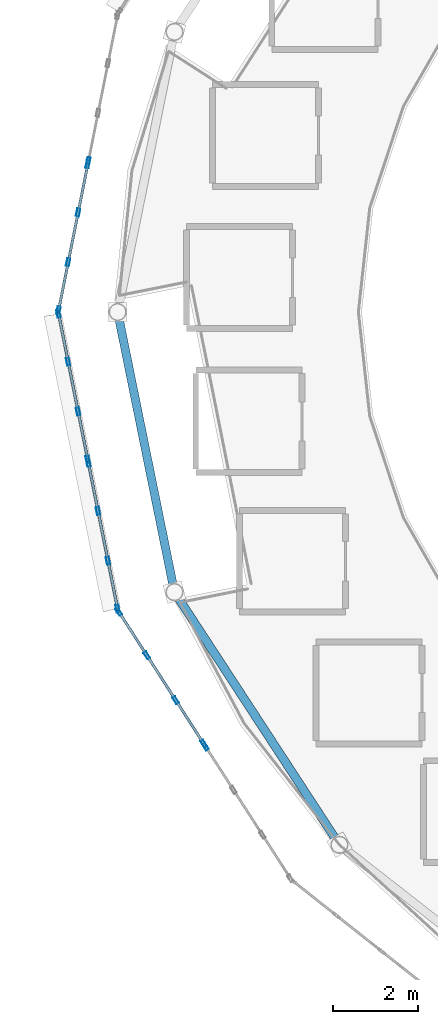
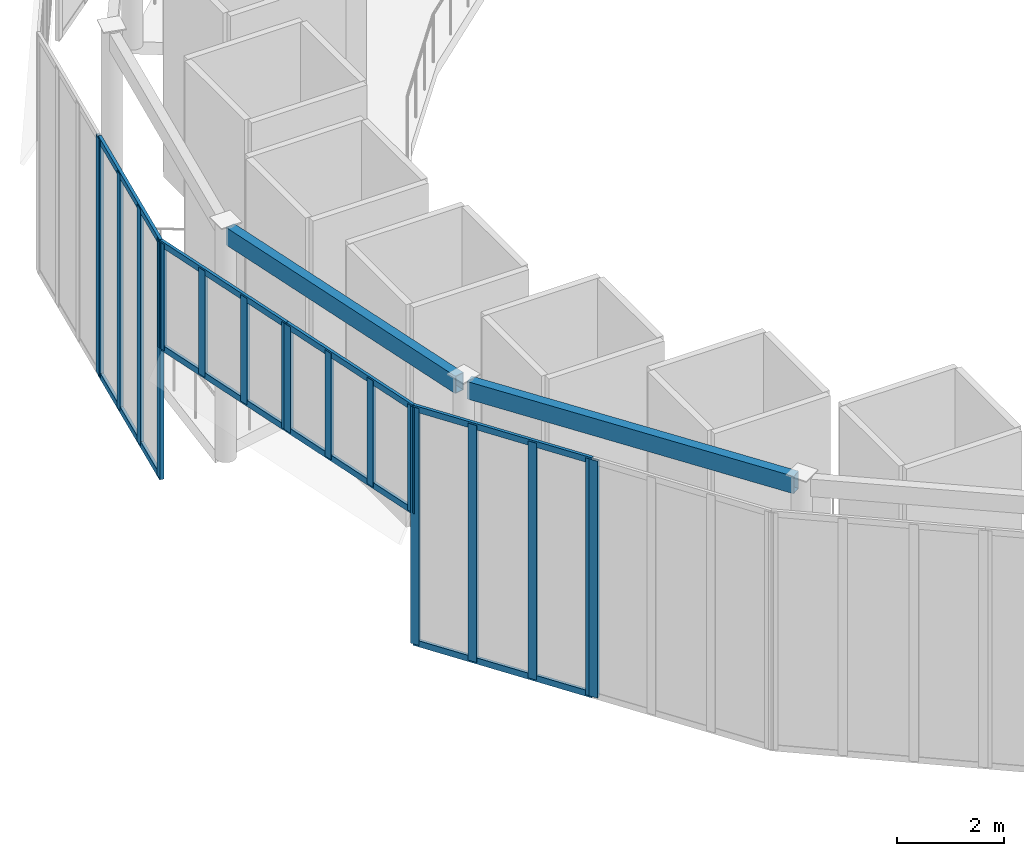
# One storey, part 40 of 98: 26 members, 2 beams, 6 elements without a shape of their own.
"""IFC4 building model written with IfcOpenShell, lengths in metres."""

import ifcopenshell
import ifcopenshell.guid

model = None  # the IFC model being written
_history = None  # IfcOwnerHistory: only IFC2X3 demands one
_inside = {}  # id of a spatial element -> (the spatial element, [elements in it])
_under = {}  # id of a project, library or spatial element -> (it, [spatial elements below it])
_declared = {}  # id of a project -> (the project, [libraries it declares])
_typed = {}  # id of a type object -> (the type object, [elements of that type])
_made_of = {}  # id of a material, layer set ... -> (it, [elements and type objects made of it])


def new_model(schema):
    """Start an empty IFC model of exactly this schema.

    Asked for "IFC4X3", IfcOpenShell would pick the latest addendum, in which some entities
    have other attributes; the version numbers below select the first issue.
    IFC2X3 requires an IfcOwnerHistory on every rooted entity: one is made here for all.
    """
    global model, _history
    if schema == "IFC4X3":
        model = ifcopenshell.file(schema_version=(4, 3, 0, 0))
    else:
        model = ifcopenshell.file(schema=schema)
    _inside.clear()
    _under.clear()
    _declared.clear()
    _typed.clear()
    _made_of.clear()
    _history = None
    if model.schema == "IFC2X3":
        org = make("IfcOrganization", Name="unknown")
        user = make(
            "IfcPersonAndOrganization",
            ThePerson=make("IfcPerson", FamilyName="unknown"),
            TheOrganization=org,
        )
        app = make(
            "IfcApplication",
            ApplicationDeveloper=org,
            Version="unknown",
            ApplicationFullName="unknown",
            ApplicationIdentifier="unknown",
        )
        _history = make(
            "IfcOwnerHistory",
            OwningUser=user,
            OwningApplication=app,
            ChangeAction="ADDED",
            CreationDate=0,
        )
    return model


def make(cls, **values):
    """One entity of the class cls with the attributes given. An attribute that is None is left unset."""
    return model.create_entity(
        cls, **{name: value for name, value in values.items() if value is not None}
    )


def rooted(cls, **values):
    """An entity with a GlobalId (a new one), such as an element, a storey or a relation."""
    return make(cls, GlobalId=ifcopenshell.guid.new(), OwnerHistory=_history, **values)


def si_unit(unit_type, name, prefix=None):
    """IfcSIUnit, for example si_unit("LENGTHUNIT", "METRE", prefix="MILLI")."""
    return make("IfcSIUnit", UnitType=unit_type, Prefix=prefix, Name=name)


def assignment(units):
    """IfcUnitAssignment: the units of a project."""
    return None if units is None else make("IfcUnitAssignment", Units=units)


def point(xyz):
    """IfcCartesianPoint."""
    return None if xyz is None else make("IfcCartesianPoint", Coordinates=xyz)


def direction(xyz):
    """IfcDirection."""
    return None if xyz is None else make("IfcDirection", DirectionRatios=xyz)


def frame(location, z_axis=None, x_axis=None):
    """IfcAxis2Placement3D, a coordinate frame: its origin and axes. An axis left out is left unset."""
    return make(
        "IfcAxis2Placement3D",
        Location=point(location),
        Axis=direction(z_axis),
        RefDirection=direction(x_axis),
    )


def frame_2d(location, x_axis=None):
    """IfcAxis2Placement2D, a coordinate frame in the plane: its origin and x axis."""
    return make(
        "IfcAxis2Placement2D", Location=point(location), RefDirection=direction(x_axis)
    )


def origin():
    """The frame at (0, 0, 0) with its axes left unset."""
    return frame((0.0, 0.0, 0.0))


def origin_2d():
    """The frame at (0, 0) in the plane with its x axis left unset."""
    return frame_2d((0.0, 0.0))


def place(relative_to, where):
    """IfcLocalPlacement: puts the frame where relative to a parent placement (None: the world)."""
    return make(
        "IfcLocalPlacement", PlacementRelTo=relative_to, RelativePlacement=where
    )


def context(
    kind, dimensions, precision=None, world=None, true_north=None, identifier=None
):
    """IfcGeometricRepresentationContext, for example the 3D "Model" context."""
    return make(
        "IfcGeometricRepresentationContext",
        ContextIdentifier=identifier,
        ContextType=kind,
        CoordinateSpaceDimension=dimensions,
        Precision=precision,
        WorldCoordinateSystem=world,
        TrueNorth=true_north,
    )


def subcontext(parent, identifier, kind, view, scale=None):
    """IfcGeometricRepresentationSubContext, for example "Body" below "Model"."""
    return make(
        "IfcGeometricRepresentationSubContext",
        ContextIdentifier=identifier,
        ContextType=kind,
        ParentContext=parent,
        TargetScale=scale,
        TargetView=view,
    )


def project(units=None, contexts=None):
    """IfcProject with its units and contexts."""
    return rooted(
        "IfcProject",
        Name="project",
        RepresentationContexts=contexts,
        UnitsInContext=assignment(units),
    )


def spatial(cls, under=None, at=None, **own):
    """A site, building, storey or space (cls), placed at a placement, below another one or the project."""
    s = rooted(cls, ObjectPlacement=at, **own)
    if under is not None:
        _under.setdefault(under.id(), (under, []))[1].append(s)
    return s


def profile(cls, at=None, kind="AREA", **sizes):
    """A parametric profile (cls). Its sizes go by their IFC names, for example OverallWidth=200.0."""
    return make(cls, ProfileType=kind, Position=at, **sizes)


def hollow_rectangle(**sizes):
    """IfcRectangleHollowProfileDef."""
    return profile("IfcRectangleHollowProfileDef", **sizes)


def extrude(swept, where, along, depth):
    """IfcExtrudedAreaSolid: the profile swept, set in the frame where, extruded along a direction by depth."""
    return make(
        "IfcExtrudedAreaSolid",
        SweptArea=swept,
        Position=where,
        ExtrudedDirection=direction(along),
        Depth=depth,
    )


def shape(context_of_items, identifier, shape_type, items):
    """IfcShapeRepresentation: the items that make up one representation, for example the "Body"."""
    return make(
        "IfcShapeRepresentation",
        ContextOfItems=context_of_items,
        RepresentationIdentifier=identifier,
        RepresentationType=shape_type,
        Items=items,
    )


def material(Name=None, Category=None):
    """IfcMaterial."""
    return make("IfcMaterial", Name=Name, Category=Category)


def layer(
    of_material, thickness, ventilated=None, Name=None, Category=None, Priority=None
):
    """IfcMaterialLayer: one layer of a wall or slab, of a material (None: an air gap)."""
    return make(
        "IfcMaterialLayer",
        Material=of_material,
        LayerThickness=thickness,
        IsVentilated=ventilated,
        Name=Name,
        Category=Category,
        Priority=Priority,
    )


def layer_set(layers, Name=None):
    """IfcMaterialLayerSet."""
    return make("IfcMaterialLayerSet", MaterialLayers=layers, LayerSetName=Name)


def material_profile(
    of_material, cross_section, Name=None, Category=None, Priority=None
):
    """IfcMaterialProfile: a cross section and its material."""
    return make(
        "IfcMaterialProfile",
        Name=Name,
        Material=of_material,
        Profile=cross_section,
        Priority=Priority,
        Category=Category,
    )


def profile_set(profiles, Name=None, composite=None):
    """IfcMaterialProfileSet."""
    return make(
        "IfcMaterialProfileSet",
        Name=Name,
        MaterialProfiles=profiles,
        CompositeProfile=composite,
    )


def made_of(thing, what):
    """Note that an element or type object is made of a material, layer set ...; save() writes the relation."""
    if what is not None:
        _made_of.setdefault(what.id(), (what, []))[1].append(thing)
    return thing


def type_object(cls, material=None, **own):
    """A type object (cls), such as IfcWallType, which elements share."""
    return made_of(rooted(cls, **own), material)


def element(
    cls,
    number,
    at=None,
    inside=None,
    cuts=None,
    type_object=None,
    material=None,
    context=None,
    identifier="Body",
    shape_type=None,
    held_by="IfcProductDefinitionShape",
    body=None,
    shapes=None,
    **own,
):
    """One element of the class cls, such as IfcWall. Its Tag is "e" and its number.

    at: its placement. inside: the storey or other place that contains it. cuts: it is an
    opening in that element (IfcRelVoidsElement). A single representation is given by context,
    identifier, shape_type and body (its items); several are given by shapes. held_by: the class
    of the entity that holds the representations. save() writes the other relations.
    """
    e = rooted(cls, Tag="e%d" % number, ObjectPlacement=at, **own)
    if body is not None:
        shapes = [shape(context, identifier, shape_type, body)]
    if shapes is not None:
        e.Representation = make(held_by, Representations=shapes)
    if inside is not None:
        _inside.setdefault(inside.id(), (inside, []))[1].append(e)
    if cuts is not None:
        rooted(
            "IfcRelVoidsElement", RelatingBuildingElement=cuts, RelatedOpeningElement=e
        )
    if type_object is not None:
        _typed.setdefault(type_object.id(), (type_object, []))[1].append(e)
    return made_of(e, material)


def aggregate(whole, parts):
    """IfcRelAggregates: a whole, such as a stair, and the parts it consists of."""
    return rooted("IfcRelAggregates", RelatingObject=whole, RelatedObjects=parts)


def save(model, path):
    """Write the relations noted so far, then the file.

    IfcRelAggregates (storeys below a building ...), IfcRelContainedInSpatialStructure (elements
    in a storey), IfcRelDefinesByType, IfcRelAssociatesMaterial and IfcRelDeclares: one each for
    every whole, place, type object, material and project.
    """
    for whole, parts in _under.values():
        aggregate(whole, parts)
    for where, things in _inside.values():
        rooted(
            "IfcRelContainedInSpatialStructure",
            RelatedElements=things,
            RelatingStructure=where,
        )
    for kind, things in _typed.values():
        rooted("IfcRelDefinesByType", RelatedObjects=things, RelatingType=kind)
    for what, things in _made_of.values():
        rooted("IfcRelAssociatesMaterial", RelatedObjects=things, RelatingMaterial=what)
    for by, libraries in _declared.values():
        rooted("IfcRelDeclares", RelatingContext=by, RelatedDefinitions=libraries)
    model.write(path)


model = new_model("IFC4")

# Units and contexts
model_context = context("Model", 3, precision=1e-05, world=origin(), true_north=direction((0.0, 1.0)))
body_context = subcontext(model_context, "Body", "Model", "MODEL_VIEW")
ifc_project = project(units=[si_unit("LENGTHUNIT", "METRE"), si_unit("AREAUNIT", "SQUARE_METRE"), si_unit("VOLUMEUNIT", "CUBIC_METRE"), si_unit("PLANEANGLEUNIT", "RADIAN"), si_unit("MASSUNIT", "GRAM", prefix="KILO")], contexts=[model_context])

# Site, building, storey
site_placement = place(None, origin())
site = spatial("IfcSite", under=ifc_project, at=site_placement, CompositionType="ELEMENT")
building_placement = place(site_placement, origin())
building = spatial("IfcBuilding", under=site, at=building_placement, Name="Sollismere Congress Hotel", CompositionType="ELEMENT")
storey_placement = place(building_placement, frame((0.0, 0.0, 5.39990234375)))
storey = spatial("IfcBuildingStorey", under=building, at=storey_placement, Name="L01", CompositionType="ELEMENT", Elevation=5.39990234375)

# Beams
ifc_material_1 = material(Name="Steel ASTM A500 Grade C", Category="steel")
ifc_material_profile_1 = material_profile(ifc_material_1, hollow_rectangle(XDim=0.199951171875, YDim=0.39990234375, WallThickness=0.011962890625, at=origin_2d()), Name="HSS400X200X12")
ifc_profile_set_1 = profile_set([ifc_material_profile_1], Name="Steel ASTM A500 Grade C")
beam_type = type_object("IfcBeamType", Name="BM-BX400", PredefinedType="HOLLOWCORE", material=ifc_profile_set_1)
beam_1_placement = place(storey_placement, frame((1.673828125, 90.282470703125, 5.150146484375), z_axis=(0.198827417532, -0.980034518799, 0.0), x_axis=(0.980034518799, 0.198827417532, 0.0)))
element("IfcBeam", 1, at=beam_1_placement, inside=storey, type_object=beam_type, Name="Beam BM-L01-4196", PredefinedType="HOLLOWCORE", context=body_context, shape_type="SweptSolid", body=[
    extrude(hollow_rectangle(XDim=0.199951171875, YDim=0.39990234375, WallThickness=0.011962890625, at=origin_2d()), origin(), (0.0, 0.0, 1.0), 6.491943359375),
])
beam_2_placement = place(storey_placement, frame((3.05419921875, 83.701904296875, 5.150146484375), z_axis=(0.546609343854, -0.837387738871, 0.0), x_axis=(0.837387738871, 0.546609343854, 0.0)))
element("IfcBeam", 2, at=beam_2_placement, inside=storey, type_object=beam_type, Name="Beam BM-L01-4197", PredefinedType="HOLLOWCORE", context=body_context, shape_type="SweptSolid", body=[
    extrude(hollow_rectangle(XDim=0.199951171875, YDim=0.39990234375, WallThickness=0.011962890625, at=origin_2d()), origin(), (0.0, 0.0, 1.0), 6.8671875),
])

# Curtain wall, member
ifc_material_2 = material(Name="Anodized Bronze Curtain Wall & Low-E Triple Glazing", Category="glass")
ifc_layer = layer(ifc_material_2, 0.199951171875, Name="Anodized Bronze Curtain Wall & Low-E Triple Glazing")
ifc_layer_set = layer_set([ifc_layer], Name="Anodized Bronze Curtain Wall & Low-E Triple Glazing")
curtain_wall_type = type_object("IfcCurtainWallType", Name="CW-GLZ36", PredefinedType="USERDEFINED", material=ifc_layer_set)
curtain_wall_1_placement = place(storey_placement, origin())
curtain_wall_1 = element("IfcCurtainWall", 3, at=curtain_wall_1_placement, inside=storey, type_object=curtain_wall_type, Name="Unitised curtain wall CW-L01-039", ObjectType="UNITISED CURTAIN WALL", PredefinedType="USERDEFINED")
ifc_material_3 = material(Name="Anodized Aluminum 6063-T6", Category="aluminium")
ifc_material_profile_2 = material_profile(ifc_material_3, hollow_rectangle(XDim=0.074951171875, YDim=0.179931640625, WallThickness=0.0048828125, at=origin_2d()), Name="ALU180X75X5")
ifc_profile_set_2 = profile_set([ifc_material_profile_2], Name="Anodized Aluminum 6063-T6")
member_type_1 = type_object("IfcMemberType", Name="ML-CW180", PredefinedType="MULLION", material=ifc_profile_set_2)
member_1_placement = place(storey_placement, frame((0.9609375, 93.952392578125, 0.0), z_axis=(0.0, 0.0, 1.0), x_axis=(0.98055305186, -0.196254203749, 0.0)))
member_1 = element("IfcMember", 4, at=member_1_placement, type_object=member_type_1, Name="CWL-CW-L01-039-ML04", PredefinedType="MULLION", context=body_context, shape_type="SweptSolid", body=[
    extrude(hollow_rectangle(XDim=0.074951171875, YDim=0.179931640625, WallThickness=0.0048828125, at=origin_2d()), origin(), (0.0, 0.0, 1.0), 5.420166015625),
])
aggregate(curtain_wall_1, [member_1])

# Curtain wall, members
curtain_wall_2_placement = place(storey_placement, origin())
curtain_wall_2 = element("IfcCurtainWall", 5, at=curtain_wall_2_placement, inside=storey, type_object=curtain_wall_type, Name="Unitised curtain wall CW-L01-040", ObjectType="UNITISED CURTAIN WALL", PredefinedType="USERDEFINED")
member_2_placement = place(storey_placement, frame((0.946044921875, 93.877685546875, 0.0), z_axis=(0.0, 0.0, 1.0), x_axis=(0.98055305186, -0.196254203749, 0.0)))
member_2 = element("IfcMember", 6, at=member_2_placement, type_object=member_type_1, Name="CWL-CW-L01-040-ML01", PredefinedType="MULLION", context=body_context, shape_type="SweptSolid", body=[
    extrude(hollow_rectangle(XDim=0.074951171875, YDim=0.179931640625, WallThickness=0.0048828125, at=origin_2d()), origin(), (0.0, 0.0, 1.0), 5.420166015625),
])
member_3_placement = place(storey_placement, frame((0.718994140625, 92.743408203125, 0.0), z_axis=(0.0, 0.0, 1.0), x_axis=(0.98055305186, -0.196254203749, 0.0)))
member_3 = element("IfcMember", 7, at=member_3_placement, type_object=member_type_1, Name="CWL-CW-L01-040-ML02", PredefinedType="MULLION", context=body_context, shape_type="SweptSolid", body=[
    extrude(hollow_rectangle(XDim=0.074951171875, YDim=0.179931640625, WallThickness=0.0048828125, at=origin_2d()), origin(), (0.0, 0.0, 1.0), 5.420166015625),
])
member_4_placement = place(storey_placement, frame((0.484619140625, 91.57177734375, 0.0), z_axis=(0.0, 0.0, 1.0), x_axis=(0.98055305186, -0.196254203749, 0.0)))
member_4 = element("IfcMember", 8, at=member_4_placement, type_object=member_type_1, Name="CWL-CW-L01-040-ML03", PredefinedType="MULLION", context=body_context, shape_type="SweptSolid", body=[
    extrude(hollow_rectangle(XDim=0.074951171875, YDim=0.179931640625, WallThickness=0.0048828125, at=origin_2d()), origin(), (0.0, 0.0, 1.0), 5.420166015625),
])
member_5_placement = place(storey_placement, frame((0.257568359375, 90.437255859375, 0.0), z_axis=(0.0, 0.0, 1.0), x_axis=(0.98055305186, -0.196254203749, 0.0)))
member_5 = element("IfcMember", 9, at=member_5_placement, type_object=member_type_1, Name="CWL-CW-L01-040-ML04", PredefinedType="MULLION", context=body_context, shape_type="SweptSolid", body=[
    extrude(hollow_rectangle(XDim=0.074951171875, YDim=0.179931640625, WallThickness=0.0048828125, at=origin_2d()), origin(), (0.0, 0.0, 1.0), 5.420166015625),
])

curtain_wall_3_placement = place(storey_placement, origin())
curtain_wall_3 = element("IfcCurtainWall", 10, at=curtain_wall_3_placement, inside=storey, type_object=curtain_wall_type, Name="Unitised curtain wall CW-L01-043", ObjectType="UNITISED CURTAIN WALL", PredefinedType="USERDEFINED")
member_6_placement = place(storey_placement, frame((0.257568359375, 90.36279296875, 2.989990234375), z_axis=(0.0, 0.0, 1.0), x_axis=(0.98055305186, 0.196254203749, 0.0)))
member_6 = element("IfcMember", 11, at=member_6_placement, type_object=member_type_1, Name="CWL-CW-L01-043-ML01", PredefinedType="MULLION", context=body_context, shape_type="SweptSolid", body=[
    extrude(hollow_rectangle(XDim=0.074951171875, YDim=0.179931640625, WallThickness=0.0048828125, at=origin_2d()), origin(), (0.0, 0.0, 1.0), 2.43017578125),
])
member_7_placement = place(storey_placement, frame((0.484619140625, 89.228271484375, 2.989990234375), z_axis=(0.0, 0.0, 1.0), x_axis=(0.98055305186, 0.196254203749, 0.0)))
member_7 = element("IfcMember", 12, at=member_7_placement, type_object=member_type_1, Name="CWL-CW-L01-043-ML02", PredefinedType="MULLION", context=body_context, shape_type="SweptSolid", body=[
    extrude(hollow_rectangle(XDim=0.074951171875, YDim=0.179931640625, WallThickness=0.0048828125, at=origin_2d()), origin(), (0.0, 0.0, 1.0), 2.43017578125),
])
member_8_placement = place(storey_placement, frame((0.718994140625, 88.056640625, 2.989990234375), z_axis=(0.0, 0.0, 1.0), x_axis=(0.98055305186, 0.196254203749, 0.0)))
member_8 = element("IfcMember", 13, at=member_8_placement, type_object=member_type_1, Name="CWL-CW-L01-043-ML03", PredefinedType="MULLION", context=body_context, shape_type="SweptSolid", body=[
    extrude(hollow_rectangle(XDim=0.074951171875, YDim=0.179931640625, WallThickness=0.0048828125, at=origin_2d()), origin(), (0.0, 0.0, 1.0), 2.43017578125),
])
member_9_placement = place(storey_placement, frame((0.946044921875, 86.922119140625, 2.989990234375), z_axis=(0.0, 0.0, 1.0), x_axis=(0.98055305186, 0.196254203749, 0.0)))
member_9 = element("IfcMember", 14, at=member_9_placement, type_object=member_type_1, Name="CWL-CW-L01-043-ML04", PredefinedType="MULLION", context=body_context, shape_type="SweptSolid", body=[
    extrude(hollow_rectangle(XDim=0.074951171875, YDim=0.179931640625, WallThickness=0.0048828125, at=origin_2d()), origin(), (0.0, 0.0, 1.0), 2.43017578125),
])

curtain_wall_4_placement = place(storey_placement, origin())
curtain_wall_4 = element("IfcCurtainWall", 15, at=curtain_wall_4_placement, inside=storey, type_object=curtain_wall_type, Name="Unitised curtain wall CW-L01-044", ObjectType="UNITISED CURTAIN WALL", PredefinedType="USERDEFINED")
member_10_placement = place(storey_placement, frame((0.9609375, 86.84765625, 2.989990234375), z_axis=(0.0, 0.0, 1.0), x_axis=(0.98055305186, 0.196254203749, 0.0)))
member_10 = element("IfcMember", 16, at=member_10_placement, type_object=member_type_1, Name="CWL-CW-L01-044-ML01", PredefinedType="MULLION", context=body_context, shape_type="SweptSolid", body=[
    extrude(hollow_rectangle(XDim=0.074951171875, YDim=0.179931640625, WallThickness=0.0048828125, at=origin_2d()), origin(), (0.0, 0.0, 1.0), 2.43017578125),
])
member_11_placement = place(storey_placement, frame((1.18798828125, 85.71337890625, 2.989990234375), z_axis=(0.0, 0.0, 1.0), x_axis=(0.98055305186, 0.196254203749, 0.0)))
member_11 = element("IfcMember", 17, at=member_11_placement, type_object=member_type_1, Name="CWL-CW-L01-044-ML02", PredefinedType="MULLION", context=body_context, shape_type="SweptSolid", body=[
    extrude(hollow_rectangle(XDim=0.074951171875, YDim=0.179931640625, WallThickness=0.0048828125, at=origin_2d()), origin(), (0.0, 0.0, 1.0), 2.43017578125),
])
member_12_placement = place(storey_placement, frame((1.422607421875, 84.54150390625, 2.989990234375), z_axis=(0.0, 0.0, 1.0), x_axis=(0.98055305186, 0.196254203749, 0.0)))
member_12 = element("IfcMember", 18, at=member_12_placement, type_object=member_type_1, Name="CWL-CW-L01-044-ML03", PredefinedType="MULLION", context=body_context, shape_type="SweptSolid", body=[
    extrude(hollow_rectangle(XDim=0.074951171875, YDim=0.179931640625, WallThickness=0.0048828125, at=origin_2d()), origin(), (0.0, 0.0, 1.0), 2.43017578125),
])
member_13_placement = place(storey_placement, frame((1.649658203125, 83.4072265625, 2.989990234375), z_axis=(0.0, 0.0, 1.0), x_axis=(0.98055305186, 0.196254203749, 0.0)))
member_13 = element("IfcMember", 19, at=member_13_placement, type_object=member_type_1, Name="CWL-CW-L01-044-ML04", PredefinedType="MULLION", context=body_context, shape_type="SweptSolid", body=[
    extrude(hollow_rectangle(XDim=0.074951171875, YDim=0.179931640625, WallThickness=0.0048828125, at=origin_2d()), origin(), (0.0, 0.0, 1.0), 2.43017578125),
])

curtain_wall_5_placement = place(storey_placement, origin())
curtain_wall_5 = element("IfcCurtainWall", 20, at=curtain_wall_5_placement, inside=storey, type_object=curtain_wall_type, Name="Unitised curtain wall CW-L01-049", ObjectType="UNITISED CURTAIN WALL", PredefinedType="USERDEFINED")
member_14_placement = place(storey_placement, frame((1.677734375, 83.337890625, 0.0), z_axis=(0.0, 0.0, 1.0), x_axis=(0.840774542547, 0.541385415951, 0.0)))
member_14 = element("IfcMember", 21, at=member_14_placement, type_object=member_type_1, Name="CWL-CW-L01-049-ML01", PredefinedType="MULLION", context=body_context, shape_type="SweptSolid", body=[
    extrude(hollow_rectangle(XDim=0.074951171875, YDim=0.179931640625, WallThickness=0.0048828125, at=origin_2d()), origin(), (0.0, 0.0, 1.0), 5.420166015625),
])
member_15_placement = place(storey_placement, frame((2.337646484375, 82.31298828125, 0.0), z_axis=(0.0, 0.0, 1.0), x_axis=(0.840774542547, 0.541385415951, 0.0)))
member_15 = element("IfcMember", 22, at=member_15_placement, type_object=member_type_1, Name="CWL-CW-L01-049-ML02", PredefinedType="MULLION", context=body_context, shape_type="SweptSolid", body=[
    extrude(hollow_rectangle(XDim=0.074951171875, YDim=0.179931640625, WallThickness=0.0048828125, at=origin_2d()), origin(), (0.0, 0.0, 1.0), 5.420166015625),
])
member_16_placement = place(storey_placement, frame((3.018310546875, 81.255859375, 0.0), z_axis=(0.0, 0.0, 1.0), x_axis=(0.840774542547, 0.541385415951, 0.0)))
member_16 = element("IfcMember", 23, at=member_16_placement, type_object=member_type_1, Name="CWL-CW-L01-049-ML03", PredefinedType="MULLION", context=body_context, shape_type="SweptSolid", body=[
    extrude(hollow_rectangle(XDim=0.074951171875, YDim=0.179931640625, WallThickness=0.0048828125, at=origin_2d()), origin(), (0.0, 0.0, 1.0), 5.420166015625),
])
member_17_placement = place(storey_placement, frame((3.678466796875, 80.230712890625, 0.0), z_axis=(0.0, 0.0, 1.0), x_axis=(0.840774542547, 0.541385415951, 0.0)))
member_17 = element("IfcMember", 24, at=member_17_placement, type_object=member_type_1, Name="CWL-CW-L01-049-ML04", PredefinedType="MULLION", context=body_context, shape_type="SweptSolid", body=[
    extrude(hollow_rectangle(XDim=0.074951171875, YDim=0.179931640625, WallThickness=0.0048828125, at=origin_2d()), origin(), (0.0, 0.0, 1.0), 5.420166015625),
])

# Curtain wall, member
curtain_wall_6_placement = place(storey_placement, origin())
curtain_wall_6 = element("IfcCurtainWall", 25, at=curtain_wall_6_placement, inside=storey, type_object=curtain_wall_type, Name="Unitised curtain wall CW-L01-050", ObjectType="UNITISED CURTAIN WALL", PredefinedType="USERDEFINED")
member_18_placement = place(storey_placement, frame((3.719482421875, 80.1669921875, 0.0), z_axis=(0.0, 0.0, 1.0), x_axis=(0.840774542547, 0.541385415951, 0.0)))
member_18 = element("IfcMember", 26, at=member_18_placement, type_object=member_type_1, Name="CWL-CW-L01-050-ML01", PredefinedType="MULLION", context=body_context, shape_type="SweptSolid", body=[
    extrude(hollow_rectangle(XDim=0.074951171875, YDim=0.179931640625, WallThickness=0.0048828125, at=origin_2d()), origin(), (0.0, 0.0, 1.0), 5.420166015625),
])
aggregate(curtain_wall_6, [member_18])

# Member
ifc_material_profile_3 = material_profile(ifc_material_3, hollow_rectangle(XDim=0.06494140625, YDim=0.139892578125, WallThickness=0.00390625, at=origin_2d()), Name="ALU140X65X4")
ifc_profile_set_3 = profile_set([ifc_material_profile_3], Name="Anodized Aluminum 6063-T6")
member_type_2 = type_object("IfcMemberType", Name="TR-CW150", PredefinedType="MEMBER", material=ifc_profile_set_3)
member_19_placement = place(storey_placement, frame((0.95361328125, 93.9150390625, 0.03271484375), z_axis=(-0.196273293747, -0.980549230871, 0.0), x_axis=(0.980549230871, -0.196273293747, 0.0)))
member_19 = element("IfcMember", 27, at=member_19_placement, type_object=member_type_2, Name="CWL-CW-L01-040-TR1", PredefinedType="MEMBER", context=body_context, shape_type="SweptSolid", body=[
    extrude(hollow_rectangle(XDim=0.06494140625, YDim=0.139892578125, WallThickness=0.00390625, at=origin_2d()), origin(), (0.0, 0.0, 1.0), 3.5849609375),
])

member_20_placement = place(storey_placement, frame((0.95361328125, 93.9150390625, 5.3876953125), z_axis=(-0.196273293747, -0.980549230871, 0.0), x_axis=(0.980549230871, -0.196273293747, 0.0)))
member_20 = element("IfcMember", 28, at=member_20_placement, type_object=member_type_2, Name="CWL-CW-L01-040-TR2", PredefinedType="MEMBER", context=body_context, shape_type="SweptSolid", body=[
    extrude(hollow_rectangle(XDim=0.06494140625, YDim=0.139892578125, WallThickness=0.00390625, at=origin_2d()), origin(), (0.0, 0.0, 1.0), 3.5849609375),
])

aggregate(curtain_wall_2, [member_2, member_3, member_4, member_5, member_19, member_20])

member_21_placement = place(storey_placement, frame((0.25, 90.39990234375, 3.022705078125), z_axis=(0.19628640144, -0.980546607056, 0.0), x_axis=(0.980546607056, 0.19628640144, 0.0)))
member_21 = element("IfcMember", 29, at=member_21_placement, type_object=member_type_2, Name="CWL-CW-L01-043-TR1", PredefinedType="MEMBER", context=body_context, shape_type="SweptSolid", body=[
    extrude(hollow_rectangle(XDim=0.06494140625, YDim=0.139892578125, WallThickness=0.00390625, at=origin_2d()), origin(), (0.0, 0.0, 1.0), 3.584716796875),
])

member_22_placement = place(storey_placement, frame((0.25, 90.39990234375, 5.3876953125), z_axis=(0.19628640144, -0.980546607056, 0.0), x_axis=(0.980546607056, 0.19628640144, 0.0)))
member_22 = element("IfcMember", 30, at=member_22_placement, type_object=member_type_2, Name="CWL-CW-L01-043-TR2", PredefinedType="MEMBER", context=body_context, shape_type="SweptSolid", body=[
    extrude(hollow_rectangle(XDim=0.06494140625, YDim=0.139892578125, WallThickness=0.00390625, at=origin_2d()), origin(), (0.0, 0.0, 1.0), 3.584716796875),
])

aggregate(curtain_wall_3, [member_6, member_7, member_8, member_9, member_21, member_22])

member_23_placement = place(storey_placement, frame((0.95361328125, 86.885009765625, 3.022705078125), z_axis=(0.196207812831, -0.980562335695, 0.0), x_axis=(0.980562335695, 0.196207812831, 0.0)))
member_23 = element("IfcMember", 31, at=member_23_placement, type_object=member_type_2, Name="CWL-CW-L01-044-TR1", PredefinedType="MEMBER", context=body_context, shape_type="SweptSolid", body=[
    extrude(hollow_rectangle(XDim=0.06494140625, YDim=0.139892578125, WallThickness=0.00390625, at=origin_2d()), origin(), (0.0, 0.0, 1.0), 3.584716796875),
])

member_24_placement = place(storey_placement, frame((0.95361328125, 86.885009765625, 5.3876953125), z_axis=(0.196207812831, -0.980562335695, 0.0), x_axis=(0.980562335695, 0.196207812831, 0.0)))
member_24 = element("IfcMember", 32, at=member_24_placement, type_object=member_type_2, Name="CWL-CW-L01-044-TR2", PredefinedType="MEMBER", context=body_context, shape_type="SweptSolid", body=[
    extrude(hollow_rectangle(XDim=0.06494140625, YDim=0.139892578125, WallThickness=0.00390625, at=origin_2d()), origin(), (0.0, 0.0, 1.0), 3.584716796875),
])

aggregate(curtain_wall_4, [member_10, member_11, member_12, member_13, member_23, member_24])

member_25_placement = place(storey_placement, frame((1.656982421875, 83.369873046875, 0.03271484375), z_axis=(0.541424846284, -0.840749151547, 0.0), x_axis=(0.840749151547, 0.541424846284, 0.0)))
member_25 = element("IfcMember", 33, at=member_25_placement, type_object=member_type_2, Name="CWL-CW-L01-049-TR1", PredefinedType="MEMBER", context=body_context, shape_type="SweptSolid", body=[
    extrude(hollow_rectangle(XDim=0.06494140625, YDim=0.139892578125, WallThickness=0.00390625, at=origin_2d()), origin(), (0.0, 0.0, 1.0), 3.771484375),
])

member_26_placement = place(storey_placement, frame((1.656982421875, 83.369873046875, 5.3876953125), z_axis=(0.541424846284, -0.840749151547, 0.0), x_axis=(0.840749151547, 0.541424846284, 0.0)))
member_26 = element("IfcMember", 34, at=member_26_placement, type_object=member_type_2, Name="CWL-CW-L01-049-TR2", PredefinedType="MEMBER", context=body_context, shape_type="SweptSolid", body=[
    extrude(hollow_rectangle(XDim=0.06494140625, YDim=0.139892578125, WallThickness=0.00390625, at=origin_2d()), origin(), (0.0, 0.0, 1.0), 3.771484375),
])

aggregate(curtain_wall_5, [member_14, member_15, member_16, member_17, member_25, member_26])

save(model, "model.ifc")
